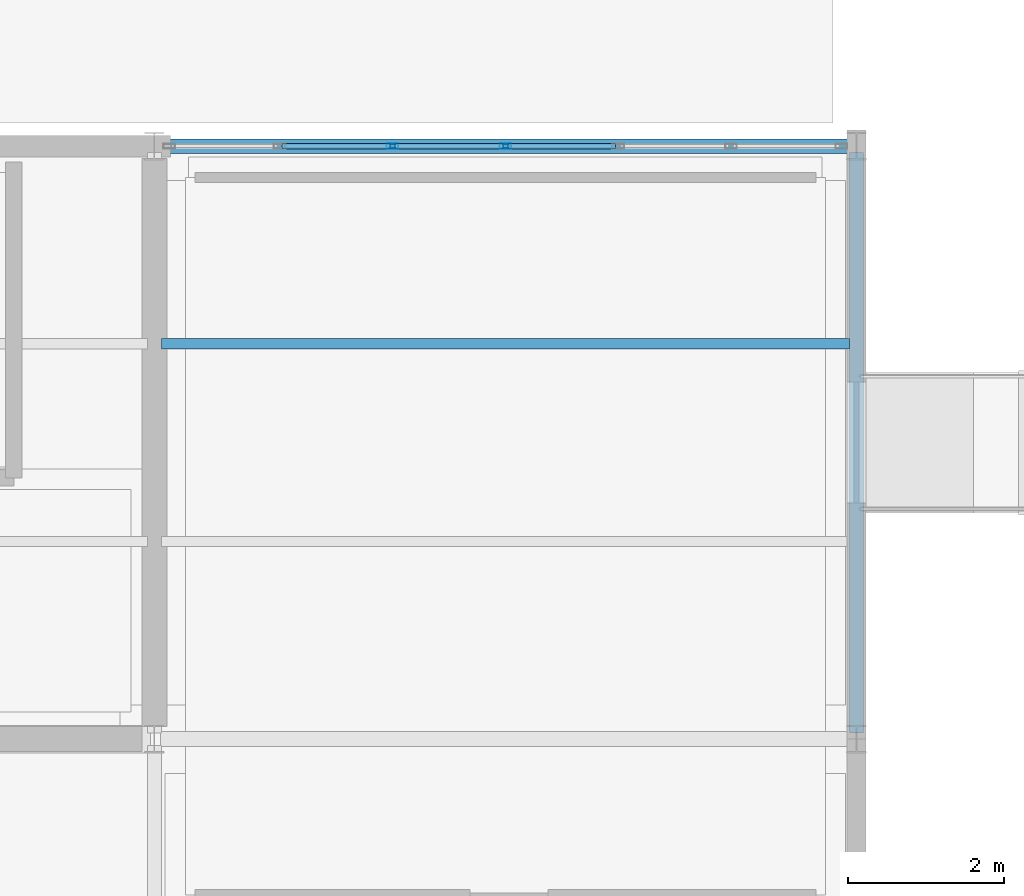
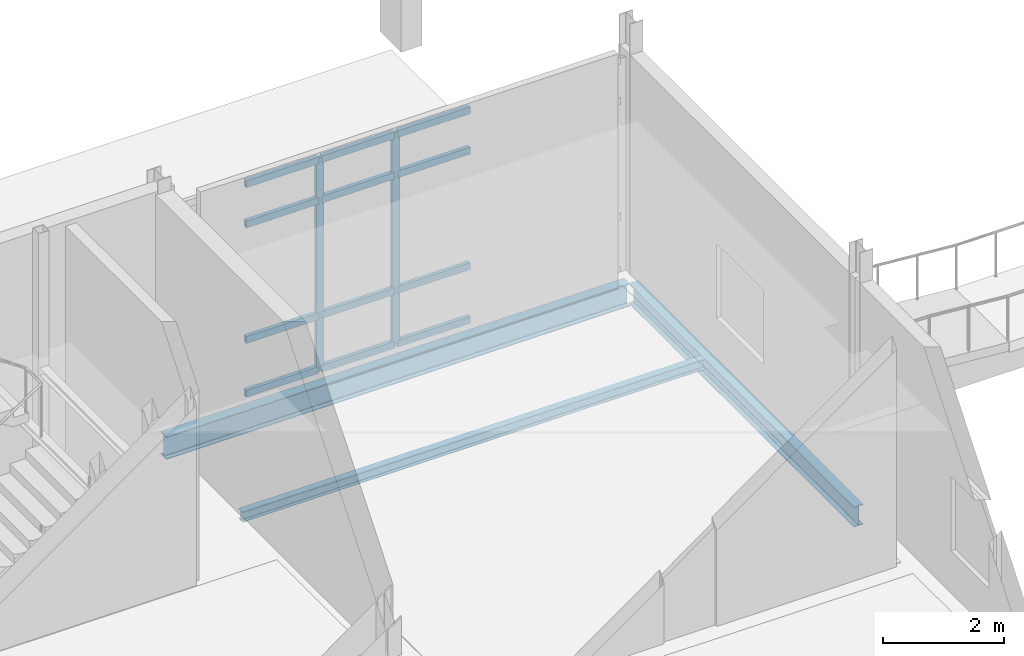
# One storey, part 94 of 161: 14 members, 3 beams, 1 element without a shape of its own.
"""IFC4 building model written with IfcOpenShell, lengths in metres."""

from ifc_helpers import new_model, si_unit, direction, frame, origin, origin_2d, place, context, subcontext, project, spatial, hollow_rectangle, i_section, extrude, material, material_profile, profile_set, type_object, element, aggregate, save


model = new_model("IFC4")

# Units and contexts
model_context = context("Model", 3, precision=1e-05, world=origin(), true_north=direction((0.0, 1.0)))
body_context = subcontext(model_context, "Body", "Model", "MODEL_VIEW")
ifc_project = project(units=[si_unit("LENGTHUNIT", "METRE"), si_unit("AREAUNIT", "SQUARE_METRE"), si_unit("VOLUMEUNIT", "CUBIC_METRE"), si_unit("PLANEANGLEUNIT", "RADIAN"), si_unit("MASSUNIT", "GRAM", prefix="KILO")], contexts=[model_context])

# Site, building, storey
site_placement = place(None, origin())
site = spatial("IfcSite", under=ifc_project, at=site_placement, CompositionType="ELEMENT")
building_placement = place(site_placement, origin())
building = spatial("IfcBuilding", under=site, at=building_placement, Name="Caisbarro Railhouse Central Library", CompositionType="ELEMENT")
storey_placement = place(building_placement, origin())
storey = spatial("IfcBuildingStorey", under=building, at=storey_placement, Name="L00", CompositionType="ELEMENT", Elevation=0.0)

# Beams
ifc_material_1 = material(Name="Steel ASTM A572 Grade 50", Category="steel")
ifc_material_profile_1 = material_profile(ifc_material_1, i_section(OverallWidth=0.177978515625, OverallDepth=0.406982421875, WebThickness=0.0078125, FlangeThickness=0.0126953125, FilletRadius=0.01611328125, at=origin_2d()), Name="W410X60.0")
ifc_profile_set_1 = profile_set([ifc_material_profile_1], Name="Steel ASTM A572 Grade 50")
beam_type_1 = type_object("IfcBeamType", Name="BM-G10", PredefinedType="BEAM", material=ifc_profile_set_1)
beam_1_placement = place(storey_placement, frame((99.0, 98.8798828125, -0.45361328125), z_axis=(0.0, 1.0, 0.0), x_axis=(-1.0, 0.0, 0.0)))
element("IfcBeam", 1, at=beam_1_placement, inside=storey, type_object=beam_type_1, Name="G10 beam L00 #650", PredefinedType="BEAM", context=body_context, shape_type="SweptSolid", body=[
    extrude(i_section(OverallWidth=0.177978515625, OverallDepth=0.406982421875, WebThickness=0.0078125, FlangeThickness=0.0126953125, FilletRadius=0.01611328125, at=origin_2d()), origin(), (0.0, 0.0, 1.0), 7.440185546875),
])
ifc_material_profile_2 = material_profile(ifc_material_1, i_section(OverallWidth=0.133056640625, OverallDepth=0.20703125, WebThickness=0.005859375, FlangeThickness=0.00830078125, FilletRadius=0.010009765625, at=origin_2d()), Name="W200X26.6")
ifc_profile_set_2 = profile_set([ifc_material_profile_2], Name="Steel ASTM A572 Grade 50")
beam_type_2 = type_object("IfcBeamType", Name="BM-J07", PredefinedType="JOIST", material=ifc_profile_set_2)
beam_2_placement = place(storey_placement, frame((90.089111328125, 103.86669921875, -0.353515625), z_axis=(1.0, 0.0, 0.0), x_axis=(0.0, 1.0, 0.0)))
element("IfcBeam", 2, at=beam_2_placement, inside=storey, type_object=beam_type_2, Name="J07 beam L00 #680", PredefinedType="JOIST", context=body_context, shape_type="SweptSolid", body=[
    extrude(i_section(OverallWidth=0.133056640625, OverallDepth=0.20703125, WebThickness=0.005859375, FlangeThickness=0.00830078125, FilletRadius=0.010009765625, at=origin_2d()), origin(), (0.0, 0.0, 1.0), 8.82177734375),
])
ifc_material_profile_3 = material_profile(ifc_material_1, i_section(OverallWidth=0.18994140625, OverallDepth=0.45703125, WebThickness=0.009033203125, FlangeThickness=0.014404296875, FilletRadius=0.01806640625, at=origin_2d()), Name="W460X74.0")
ifc_profile_set_3 = profile_set([ifc_material_profile_3], Name="Steel ASTM A572 Grade 50")
beam_type_3 = type_object("IfcBeamType", Name="BM-SP01", PredefinedType="SPANDREL", material=ifc_profile_set_3)
beam_3_placement = place(storey_placement, frame((90.080078125, 106.39990234375, -0.478515625), z_axis=(1.0, 0.0, 0.0), x_axis=(0.0, 1.0, 0.0)))
element("IfcBeam", 3, at=beam_3_placement, inside=storey, type_object=beam_type_3, Name="SP01 beam L00 #632", PredefinedType="SPANDREL", context=body_context, shape_type="SweptSolid", body=[
    extrude(i_section(OverallWidth=0.18994140625, OverallDepth=0.45703125, WebThickness=0.009033203125, FlangeThickness=0.014404296875, FilletRadius=0.01806640625, at=origin_2d()), origin(), (0.0, 0.0, 1.0), 8.83984375),
])

# Curtain wall, members
ifc_material_2 = material(Name="Anodised architectural aluminium", Category="aluminium")
curtain_wall_type = type_object("IfcCurtainWallType", Name="CW-CW03", PredefinedType="NOTDEFINED", material=ifc_material_2)
curtain_wall_placement = place(storey_placement, origin())
curtain_wall = element("IfcCurtainWall", 4, at=curtain_wall_placement, inside=storey, type_object=curtain_wall_type, Name="CW03 curtain wall L00 #171", PredefinedType="NOTDEFINED")
ifc_material_profile_4 = material_profile(ifc_material_2, hollow_rectangle(XDim=0.06494140625, YDim=0.14990234375, WallThickness=0.00390625, at=origin_2d()), Name="ALU-MUL-65X150")
ifc_profile_set_4 = profile_set([ifc_material_profile_4], Name="Anodised architectural aluminium")
member_type_1 = type_object("IfcMemberType", Name="CWM-M02", PredefinedType="MULLION", material=ifc_profile_set_4)
member_1_placement = place(storey_placement, frame((93.05322265625, 106.39990234375, 0.0), z_axis=(0.0, 0.0, 1.0), x_axis=(0.0, 1.0, 0.0)))
member_1 = element("IfcMember", 5, at=member_1_placement, type_object=member_type_1, Name="CW03 mullion 3", PredefinedType="MULLION", context=body_context, shape_type="SweptSolid", body=[
    extrude(hollow_rectangle(XDim=0.06494140625, YDim=0.14990234375, WallThickness=0.00390625, at=origin_2d()), origin(), (0.0, 0.0, 1.0), 4.300048828125),
])
member_2_placement = place(storey_placement, frame((94.5, 106.39990234375, 0.0), z_axis=(0.0, 0.0, 1.0), x_axis=(0.0, 1.0, 0.0)))
member_2 = element("IfcMember", 6, at=member_2_placement, type_object=member_type_1, Name="CW03 mullion 4", PredefinedType="MULLION", context=body_context, shape_type="SweptSolid", body=[
    extrude(hollow_rectangle(XDim=0.06494140625, YDim=0.14990234375, WallThickness=0.00390625, at=origin_2d()), origin(), (0.0, 0.0, 1.0), 4.300048828125),
])
ifc_material_profile_5 = material_profile(ifc_material_2, hollow_rectangle(XDim=0.074951171875, YDim=0.139892578125, WallThickness=0.00390625, at=origin_2d()), Name="ALU-TRN-75X140")
ifc_profile_set_5 = profile_set([ifc_material_profile_5], Name="Anodised architectural aluminium")
member_type_2 = type_object("IfcMemberType", Name="CWT-T01", PredefinedType="USERDEFINED", material=ifc_profile_set_5)
member_3_placement = place(storey_placement, frame((91.63916015625, 106.39990234375, 0.03759765625), z_axis=(1.0, 0.0, 0.0), x_axis=(0.0, 1.0, 0.0)))
member_3 = element("IfcMember", 7, at=member_3_placement, type_object=member_type_2, Name="CW03 transom 2.1", ObjectType="TRANSOM", PredefinedType="USERDEFINED", context=body_context, shape_type="SweptSolid", body=[
    extrude(hollow_rectangle(XDim=0.074951171875, YDim=0.139892578125, WallThickness=0.00390625, at=origin_2d()), origin(), (0.0, 0.0, 1.0), 1.381591796875),
])
member_4_placement = place(storey_placement, frame((91.63916015625, 106.39990234375, 1.1201171875), z_axis=(1.0, 0.0, 0.0), x_axis=(0.0, 1.0, 0.0)))
member_4 = element("IfcMember", 8, at=member_4_placement, type_object=member_type_2, Name="CW03 transom 2.2", ObjectType="TRANSOM", PredefinedType="USERDEFINED", context=body_context, shape_type="SweptSolid", body=[
    extrude(hollow_rectangle(XDim=0.074951171875, YDim=0.139892578125, WallThickness=0.00390625, at=origin_2d()), origin(), (0.0, 0.0, 1.0), 1.381591796875),
])
member_5_placement = place(storey_placement, frame((91.63916015625, 106.39990234375, 3.449951171875), z_axis=(1.0, 0.0, 0.0), x_axis=(0.0, 1.0, 0.0)))
member_5 = element("IfcMember", 9, at=member_5_placement, type_object=member_type_2, Name="CW03 transom 2.3", ObjectType="TRANSOM", PredefinedType="USERDEFINED", context=body_context, shape_type="SweptSolid", body=[
    extrude(hollow_rectangle(XDim=0.074951171875, YDim=0.139892578125, WallThickness=0.00390625, at=origin_2d()), origin(), (0.0, 0.0, 1.0), 1.381591796875),
])
member_6_placement = place(storey_placement, frame((91.63916015625, 106.39990234375, 4.262451171875), z_axis=(1.0, 0.0, 0.0), x_axis=(0.0, 1.0, 0.0)))
member_6 = element("IfcMember", 10, at=member_6_placement, type_object=member_type_2, Name="CW03 transom 2.4", ObjectType="TRANSOM", PredefinedType="USERDEFINED", context=body_context, shape_type="SweptSolid", body=[
    extrude(hollow_rectangle(XDim=0.074951171875, YDim=0.139892578125, WallThickness=0.00390625, at=origin_2d()), origin(), (0.0, 0.0, 1.0), 1.381591796875),
])
member_7_placement = place(storey_placement, frame((93.0859375, 106.39990234375, 0.03759765625), z_axis=(1.0, 0.0, 0.0), x_axis=(0.0, 1.0, 0.0)))
member_7 = element("IfcMember", 11, at=member_7_placement, type_object=member_type_2, Name="CW03 transom 3.1", ObjectType="TRANSOM", PredefinedType="USERDEFINED", context=body_context, shape_type="SweptSolid", body=[
    extrude(hollow_rectangle(XDim=0.074951171875, YDim=0.139892578125, WallThickness=0.00390625, at=origin_2d()), origin(), (0.0, 0.0, 1.0), 1.381591796875),
])
member_8_placement = place(storey_placement, frame((93.0859375, 106.39990234375, 1.1201171875), z_axis=(1.0, 0.0, 0.0), x_axis=(0.0, 1.0, 0.0)))
member_8 = element("IfcMember", 12, at=member_8_placement, type_object=member_type_2, Name="CW03 transom 3.2", ObjectType="TRANSOM", PredefinedType="USERDEFINED", context=body_context, shape_type="SweptSolid", body=[
    extrude(hollow_rectangle(XDim=0.074951171875, YDim=0.139892578125, WallThickness=0.00390625, at=origin_2d()), origin(), (0.0, 0.0, 1.0), 1.381591796875),
])
member_9_placement = place(storey_placement, frame((93.0859375, 106.39990234375, 3.449951171875), z_axis=(1.0, 0.0, 0.0), x_axis=(0.0, 1.0, 0.0)))
member_9 = element("IfcMember", 13, at=member_9_placement, type_object=member_type_2, Name="CW03 transom 3.3", ObjectType="TRANSOM", PredefinedType="USERDEFINED", context=body_context, shape_type="SweptSolid", body=[
    extrude(hollow_rectangle(XDim=0.074951171875, YDim=0.139892578125, WallThickness=0.00390625, at=origin_2d()), origin(), (0.0, 0.0, 1.0), 1.381591796875),
])
member_10_placement = place(storey_placement, frame((93.0859375, 106.39990234375, 4.262451171875), z_axis=(1.0, 0.0, 0.0), x_axis=(0.0, 1.0, 0.0)))
member_10 = element("IfcMember", 14, at=member_10_placement, type_object=member_type_2, Name="CW03 transom 3.4", ObjectType="TRANSOM", PredefinedType="USERDEFINED", context=body_context, shape_type="SweptSolid", body=[
    extrude(hollow_rectangle(XDim=0.074951171875, YDim=0.139892578125, WallThickness=0.00390625, at=origin_2d()), origin(), (0.0, 0.0, 1.0), 1.381591796875),
])
member_11_placement = place(storey_placement, frame((94.532470703125, 106.39990234375, 0.03759765625), z_axis=(1.0, 0.0, 0.0), x_axis=(0.0, 1.0, 0.0)))
member_11 = element("IfcMember", 15, at=member_11_placement, type_object=member_type_2, Name="CW03 transom 4.1", ObjectType="TRANSOM", PredefinedType="USERDEFINED", context=body_context, shape_type="SweptSolid", body=[
    extrude(hollow_rectangle(XDim=0.074951171875, YDim=0.139892578125, WallThickness=0.00390625, at=origin_2d()), origin(), (0.0, 0.0, 1.0), 1.381591796875),
])
member_12_placement = place(storey_placement, frame((94.532470703125, 106.39990234375, 1.1201171875), z_axis=(1.0, 0.0, 0.0), x_axis=(0.0, 1.0, 0.0)))
member_12 = element("IfcMember", 16, at=member_12_placement, type_object=member_type_2, Name="CW03 transom 4.2", ObjectType="TRANSOM", PredefinedType="USERDEFINED", context=body_context, shape_type="SweptSolid", body=[
    extrude(hollow_rectangle(XDim=0.074951171875, YDim=0.139892578125, WallThickness=0.00390625, at=origin_2d()), origin(), (0.0, 0.0, 1.0), 1.381591796875),
])
member_13_placement = place(storey_placement, frame((94.532470703125, 106.39990234375, 3.449951171875), z_axis=(1.0, 0.0, 0.0), x_axis=(0.0, 1.0, 0.0)))
member_13 = element("IfcMember", 17, at=member_13_placement, type_object=member_type_2, Name="CW03 transom 4.3", ObjectType="TRANSOM", PredefinedType="USERDEFINED", context=body_context, shape_type="SweptSolid", body=[
    extrude(hollow_rectangle(XDim=0.074951171875, YDim=0.139892578125, WallThickness=0.00390625, at=origin_2d()), origin(), (0.0, 0.0, 1.0), 1.381591796875),
])
member_14_placement = place(storey_placement, frame((94.532470703125, 106.39990234375, 4.262451171875), z_axis=(1.0, 0.0, 0.0), x_axis=(0.0, 1.0, 0.0)))
member_14 = element("IfcMember", 18, at=member_14_placement, type_object=member_type_2, Name="CW03 transom 4.4", ObjectType="TRANSOM", PredefinedType="USERDEFINED", context=body_context, shape_type="SweptSolid", body=[
    extrude(hollow_rectangle(XDim=0.074951171875, YDim=0.139892578125, WallThickness=0.00390625, at=origin_2d()), origin(), (0.0, 0.0, 1.0), 1.381591796875),
])
aggregate(curtain_wall, [member_1, member_2, member_3, member_4, member_5, member_6, member_7, member_8, member_9, member_10, member_11, member_12, member_13, member_14])

save(model, "model.ifc")
